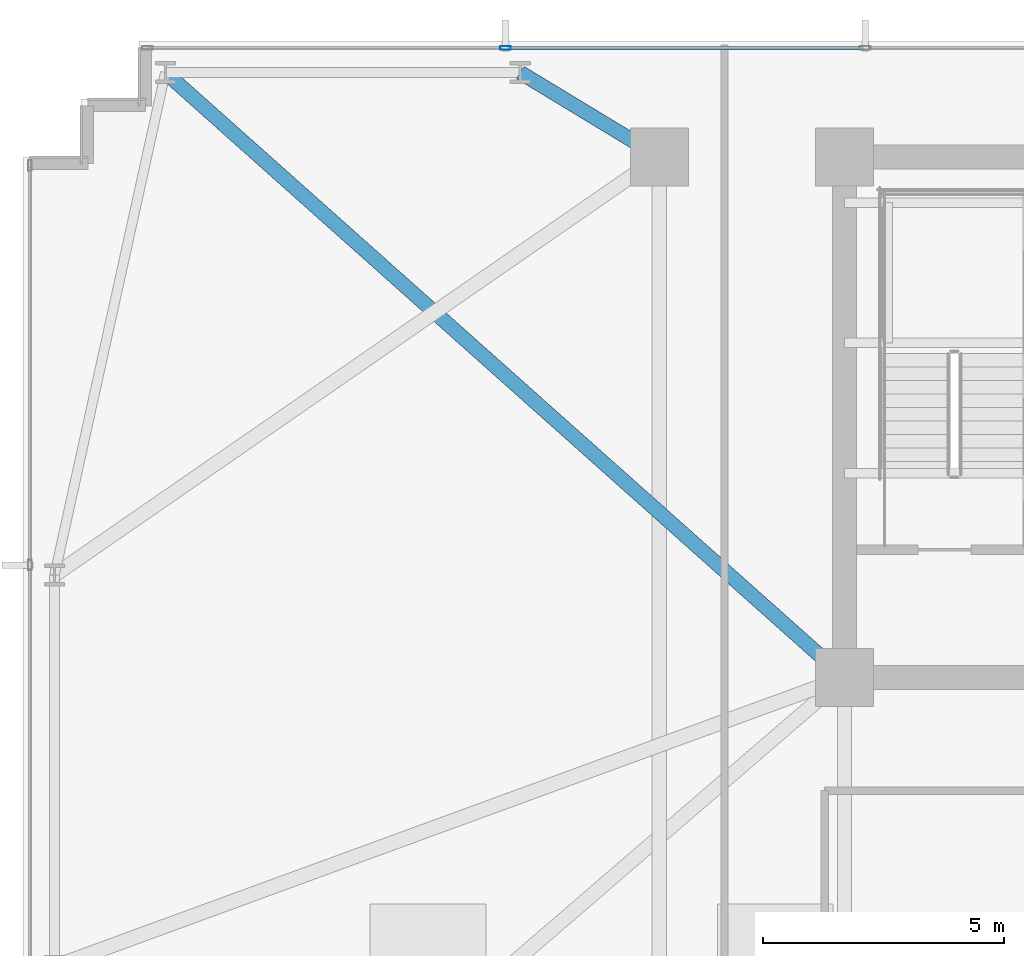
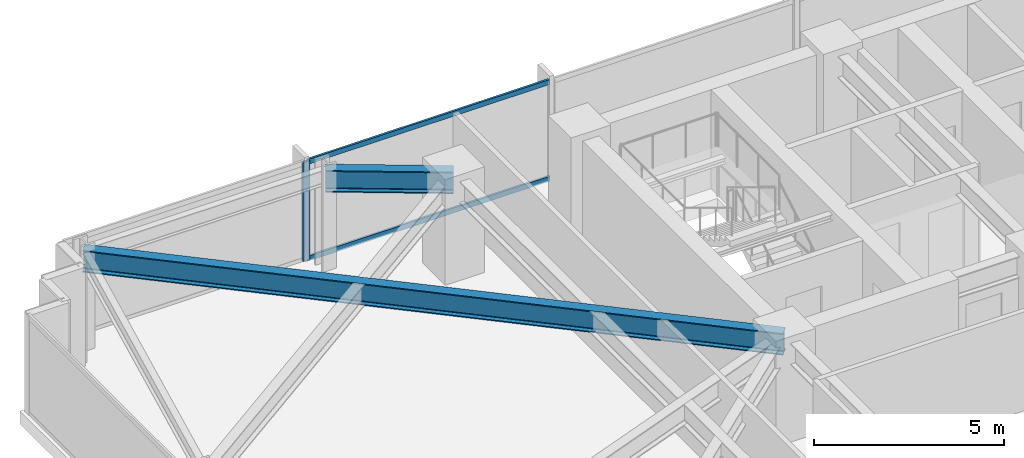
# One storey, part 16 of 31: 3 members, 2 beams, 1 element without a shape of its own.
"""IFC4 building model written with IfcOpenShell, lengths in metres."""

import ifcopenshell
import ifcopenshell.guid

model = None  # the IFC model being written
_history = None  # IfcOwnerHistory: only IFC2X3 demands one
_inside = {}  # id of a spatial element -> (the spatial element, [elements in it])
_under = {}  # id of a project, library or spatial element -> (it, [spatial elements below it])
_declared = {}  # id of a project -> (the project, [libraries it declares])
_typed = {}  # id of a type object -> (the type object, [elements of that type])
_made_of = {}  # id of a material, layer set ... -> (it, [elements and type objects made of it])


def new_model(schema):
    """Start an empty IFC model of exactly this schema.

    Asked for "IFC4X3", IfcOpenShell would pick the latest addendum, in which some entities
    have other attributes; the version numbers below select the first issue.
    IFC2X3 requires an IfcOwnerHistory on every rooted entity: one is made here for all.
    """
    global model, _history
    if schema == "IFC4X3":
        model = ifcopenshell.file(schema_version=(4, 3, 0, 0))
    else:
        model = ifcopenshell.file(schema=schema)
    _inside.clear()
    _under.clear()
    _declared.clear()
    _typed.clear()
    _made_of.clear()
    _history = None
    if model.schema == "IFC2X3":
        org = make("IfcOrganization", Name="unknown")
        user = make(
            "IfcPersonAndOrganization",
            ThePerson=make("IfcPerson", FamilyName="unknown"),
            TheOrganization=org,
        )
        app = make(
            "IfcApplication",
            ApplicationDeveloper=org,
            Version="unknown",
            ApplicationFullName="unknown",
            ApplicationIdentifier="unknown",
        )
        _history = make(
            "IfcOwnerHistory",
            OwningUser=user,
            OwningApplication=app,
            ChangeAction="ADDED",
            CreationDate=0,
        )
    return model


def make(cls, **values):
    """One entity of the class cls with the attributes given. An attribute that is None is left unset."""
    return model.create_entity(
        cls, **{name: value for name, value in values.items() if value is not None}
    )


def rooted(cls, **values):
    """An entity with a GlobalId (a new one), such as an element, a storey or a relation."""
    return make(cls, GlobalId=ifcopenshell.guid.new(), OwnerHistory=_history, **values)


def si_unit(unit_type, name, prefix=None):
    """IfcSIUnit, for example si_unit("LENGTHUNIT", "METRE", prefix="MILLI")."""
    return make("IfcSIUnit", UnitType=unit_type, Prefix=prefix, Name=name)


def assignment(units):
    """IfcUnitAssignment: the units of a project."""
    return None if units is None else make("IfcUnitAssignment", Units=units)


def point(xyz):
    """IfcCartesianPoint."""
    return None if xyz is None else make("IfcCartesianPoint", Coordinates=xyz)


def direction(xyz):
    """IfcDirection."""
    return None if xyz is None else make("IfcDirection", DirectionRatios=xyz)


def frame(location, z_axis=None, x_axis=None):
    """IfcAxis2Placement3D, a coordinate frame: its origin and axes. An axis left out is left unset."""
    return make(
        "IfcAxis2Placement3D",
        Location=point(location),
        Axis=direction(z_axis),
        RefDirection=direction(x_axis),
    )


def frame_2d(location, x_axis=None):
    """IfcAxis2Placement2D, a coordinate frame in the plane: its origin and x axis."""
    return make(
        "IfcAxis2Placement2D", Location=point(location), RefDirection=direction(x_axis)
    )


def origin():
    """The frame at (0, 0, 0) with its axes left unset."""
    return frame((0.0, 0.0, 0.0))


def origin_2d():
    """The frame at (0, 0) in the plane with its x axis left unset."""
    return frame_2d((0.0, 0.0))


def place(relative_to, where):
    """IfcLocalPlacement: puts the frame where relative to a parent placement (None: the world)."""
    return make(
        "IfcLocalPlacement", PlacementRelTo=relative_to, RelativePlacement=where
    )


def context(
    kind, dimensions, precision=None, world=None, true_north=None, identifier=None
):
    """IfcGeometricRepresentationContext, for example the 3D "Model" context."""
    return make(
        "IfcGeometricRepresentationContext",
        ContextIdentifier=identifier,
        ContextType=kind,
        CoordinateSpaceDimension=dimensions,
        Precision=precision,
        WorldCoordinateSystem=world,
        TrueNorth=true_north,
    )


def subcontext(parent, identifier, kind, view, scale=None):
    """IfcGeometricRepresentationSubContext, for example "Body" below "Model"."""
    return make(
        "IfcGeometricRepresentationSubContext",
        ContextIdentifier=identifier,
        ContextType=kind,
        ParentContext=parent,
        TargetScale=scale,
        TargetView=view,
    )


def project(units=None, contexts=None):
    """IfcProject with its units and contexts."""
    return rooted(
        "IfcProject",
        Name="project",
        RepresentationContexts=contexts,
        UnitsInContext=assignment(units),
    )


def spatial(cls, under=None, at=None, **own):
    """A site, building, storey or space (cls), placed at a placement, below another one or the project."""
    s = rooted(cls, ObjectPlacement=at, **own)
    if under is not None:
        _under.setdefault(under.id(), (under, []))[1].append(s)
    return s


def profile(cls, at=None, kind="AREA", **sizes):
    """A parametric profile (cls). Its sizes go by their IFC names, for example OverallWidth=200.0."""
    return make(cls, ProfileType=kind, Position=at, **sizes)


def hollow_rectangle(**sizes):
    """IfcRectangleHollowProfileDef."""
    return profile("IfcRectangleHollowProfileDef", **sizes)


def i_section(**sizes):
    """IfcIShapeProfileDef."""
    return profile("IfcIShapeProfileDef", **sizes)


def extrude(swept, where, along, depth):
    """IfcExtrudedAreaSolid: the profile swept, set in the frame where, extruded along a direction by depth."""
    return make(
        "IfcExtrudedAreaSolid",
        SweptArea=swept,
        Position=where,
        ExtrudedDirection=direction(along),
        Depth=depth,
    )


def shape(context_of_items, identifier, shape_type, items):
    """IfcShapeRepresentation: the items that make up one representation, for example the "Body"."""
    return make(
        "IfcShapeRepresentation",
        ContextOfItems=context_of_items,
        RepresentationIdentifier=identifier,
        RepresentationType=shape_type,
        Items=items,
    )


def material(Name=None, Category=None):
    """IfcMaterial."""
    return make("IfcMaterial", Name=Name, Category=Category)


def material_profile(
    of_material, cross_section, Name=None, Category=None, Priority=None
):
    """IfcMaterialProfile: a cross section and its material."""
    return make(
        "IfcMaterialProfile",
        Name=Name,
        Material=of_material,
        Profile=cross_section,
        Priority=Priority,
        Category=Category,
    )


def profile_set(profiles, Name=None, composite=None):
    """IfcMaterialProfileSet."""
    return make(
        "IfcMaterialProfileSet",
        Name=Name,
        MaterialProfiles=profiles,
        CompositeProfile=composite,
    )


def made_of(thing, what):
    """Note that an element or type object is made of a material, layer set ...; save() writes the relation."""
    if what is not None:
        _made_of.setdefault(what.id(), (what, []))[1].append(thing)
    return thing


def type_object(cls, material=None, **own):
    """A type object (cls), such as IfcWallType, which elements share."""
    return made_of(rooted(cls, **own), material)


def element(
    cls,
    number,
    at=None,
    inside=None,
    cuts=None,
    type_object=None,
    material=None,
    context=None,
    identifier="Body",
    shape_type=None,
    held_by="IfcProductDefinitionShape",
    body=None,
    shapes=None,
    **own,
):
    """One element of the class cls, such as IfcWall. Its Tag is "e" and its number.

    at: its placement. inside: the storey or other place that contains it. cuts: it is an
    opening in that element (IfcRelVoidsElement). A single representation is given by context,
    identifier, shape_type and body (its items); several are given by shapes. held_by: the class
    of the entity that holds the representations. save() writes the other relations.
    """
    e = rooted(cls, Tag="e%d" % number, ObjectPlacement=at, **own)
    if body is not None:
        shapes = [shape(context, identifier, shape_type, body)]
    if shapes is not None:
        e.Representation = make(held_by, Representations=shapes)
    if inside is not None:
        _inside.setdefault(inside.id(), (inside, []))[1].append(e)
    if cuts is not None:
        rooted(
            "IfcRelVoidsElement", RelatingBuildingElement=cuts, RelatedOpeningElement=e
        )
    if type_object is not None:
        _typed.setdefault(type_object.id(), (type_object, []))[1].append(e)
    return made_of(e, material)


def aggregate(whole, parts):
    """IfcRelAggregates: a whole, such as a stair, and the parts it consists of."""
    return rooted("IfcRelAggregates", RelatingObject=whole, RelatedObjects=parts)


def save(model, path):
    """Write the relations noted so far, then the file.

    IfcRelAggregates (storeys below a building ...), IfcRelContainedInSpatialStructure (elements
    in a storey), IfcRelDefinesByType, IfcRelAssociatesMaterial and IfcRelDeclares: one each for
    every whole, place, type object, material and project.
    """
    for whole, parts in _under.values():
        aggregate(whole, parts)
    for where, things in _inside.values():
        rooted(
            "IfcRelContainedInSpatialStructure",
            RelatedElements=things,
            RelatingStructure=where,
        )
    for kind, things in _typed.values():
        rooted("IfcRelDefinesByType", RelatedObjects=things, RelatingType=kind)
    for what, things in _made_of.values():
        rooted("IfcRelAssociatesMaterial", RelatedObjects=things, RelatingMaterial=what)
    for by, libraries in _declared.values():
        rooted("IfcRelDeclares", RelatingContext=by, RelatedDefinitions=libraries)
    model.write(path)


model = new_model("IFC4")

# Units and contexts
model_context = context("Model", 3, precision=1e-05, world=origin(), true_north=direction((0.0, 1.0)))
body_context = subcontext(model_context, "Body", "Model", "MODEL_VIEW")
ifc_project = project(units=[si_unit("LENGTHUNIT", "METRE"), si_unit("AREAUNIT", "SQUARE_METRE"), si_unit("VOLUMEUNIT", "CUBIC_METRE"), si_unit("PLANEANGLEUNIT", "RADIAN"), si_unit("MASSUNIT", "GRAM", prefix="KILO")], contexts=[model_context])

# Site, building, storey
site_placement = place(None, origin())
site = spatial("IfcSite", under=ifc_project, at=site_placement, CompositionType="ELEMENT")
building_placement = place(site_placement, origin())
building = spatial("IfcBuilding", under=site, at=building_placement, Name="Yelkora Congress Tower", CompositionType="ELEMENT")
storey_placement = place(building_placement, frame((0.0, 0.0, 30.39990234375)))
storey = spatial("IfcBuildingStorey", under=building, at=storey_placement, Name="L06", CompositionType="ELEMENT", Elevation=30.39990234375)

# Beams
ifc_material_1 = material(Name="Steel S355J2", Category="steel")
ifc_material_profile_1 = material_profile(ifc_material_1, i_section(OverallWidth=0.300048828125, OverallDepth=0.699951171875, WebThickness=0.01708984375, FlangeThickness=0.031982421875, FilletRadius=0.027099609375, at=origin_2d()), Name="HEB 700")
ifc_profile_set_1 = profile_set([ifc_material_profile_1], Name="Steel S355J2")
beam_type = type_object("IfcBeamType", Name="BM-GIRD-HEB700", PredefinedType="BEAM", material=ifc_profile_set_1)
beam_1_placement = place(storey_placement, frame((8.949951171875, 47.949951171875, 2.830078125), z_axis=(0.746737189621, -0.665119214605, 0.0), x_axis=(0.665119214605, 0.746737189621, 0.0)))
element("IfcBeam", 1, at=beam_1_placement, inside=storey, type_object=beam_type, Name="L06 Primary Frame Girder N01", PredefinedType="BEAM", context=body_context, shape_type="SweptSolid", body=[
    extrude(i_section(OverallWidth=0.300048828125, OverallDepth=0.699951171875, WebThickness=0.01708984375, FlangeThickness=0.031982421875, FilletRadius=0.027099609375, at=origin_2d()), origin(), (0.0, 0.0, 1.0), 18.868896484375),
])
beam_2_placement = place(storey_placement, frame((16.3125, 47.949951171875, 2.830078125), z_axis=(0.855193946581, -0.518308126244, 0.0), x_axis=(0.518308126244, 0.855193946581, 0.0)))
element("IfcBeam", 2, at=beam_2_placement, inside=storey, type_object=beam_type, Name="L06 Primary Frame Girder N02", PredefinedType="BEAM", context=body_context, shape_type="SweptSolid", body=[
    extrude(i_section(OverallWidth=0.300048828125, OverallDepth=0.699951171875, WebThickness=0.01708984375, FlangeThickness=0.031982421875, FilletRadius=0.027099609375, at=origin_2d()), origin(), (0.0, 0.0, 1.0), 3.37646484375),
])

# Curtain wall, members
ifc_material_2 = material(Name="Anodised aluminium and insulated glass", Category="aluminium")
curtain_wall_type = type_object("IfcCurtainWallType", Name="CW-SYS-B1", PredefinedType="NOTDEFINED", material=ifc_material_2)
curtain_wall_placement = place(storey_placement, origin())
curtain_wall = element("IfcCurtainWall", 3, at=curtain_wall_placement, inside=storey, type_object=curtain_wall_type, Name="L06 Unitised Curtain Wall 10", PredefinedType="NOTDEFINED")
ifc_material_3 = material(Name="Anodised aluminium 6063-T6", Category="aluminium")
ifc_material_profile_2 = material_profile(ifc_material_3, hollow_rectangle(XDim=0.074951171875, YDim=0.219970703125, WallThickness=0.0048828125, at=origin_2d()), Name="ALU 75x220x5")
ifc_profile_set_2 = profile_set([ifc_material_profile_2], Name="Anodised aluminium 6063-T6")
member_type_1 = type_object("IfcMemberType", Name="MEM-ML-B1", PredefinedType="MULLION", material=ifc_profile_set_2)
member_1_placement = place(storey_placement, frame((16.0048828125, 48.4599609375, 0.0), z_axis=(0.0, 0.0, 1.0), x_axis=(0.0, 1.0, 0.0)))
member_1 = element("IfcMember", 4, at=member_1_placement, type_object=member_type_1, Name="CW-B1 mullion 2", PredefinedType="MULLION", context=body_context, shape_type="SweptSolid", body=[
    extrude(hollow_rectangle(XDim=0.074951171875, YDim=0.219970703125, WallThickness=0.0048828125, at=origin_2d()), origin(), (0.0, 0.0, 1.0), 3.18017578125),
])
ifc_material_profile_3 = material_profile(ifc_material_3, hollow_rectangle(XDim=0.06494140625, YDim=0.159912109375, WallThickness=0.00390625, at=origin_2d()), Name="ALU 65x160x4")
ifc_profile_set_3 = profile_set([ifc_material_profile_3], Name="Anodised aluminium 6063-T6")
member_type_2 = type_object("IfcMemberType", Name="MEM-TR-B1", PredefinedType="USERDEFINED", material=ifc_profile_set_3)
member_2_placement = place(storey_placement, frame((16.04248046875, 48.4599609375, 0.03271484375), z_axis=(1.0, 0.0, 0.0), x_axis=(0.0, 1.0, 0.0)))
member_2 = element("IfcMember", 5, at=member_2_placement, type_object=member_type_2, Name="CW-B1 transom 2.1", ObjectType="TRANSOM", PredefinedType="USERDEFINED", context=body_context, shape_type="SweptSolid", body=[
    extrude(hollow_rectangle(XDim=0.06494140625, YDim=0.159912109375, WallThickness=0.00390625, at=origin_2d()), origin(), (0.0, 0.0, 1.0), 7.39013671875),
])
member_3_placement = place(storey_placement, frame((16.04248046875, 48.4599609375, 3.147705078125), z_axis=(1.0, 0.0, 0.0), x_axis=(0.0, 1.0, 0.0)))
member_3 = element("IfcMember", 6, at=member_3_placement, type_object=member_type_2, Name="CW-B1 transom 2.2", ObjectType="TRANSOM", PredefinedType="USERDEFINED", context=body_context, shape_type="SweptSolid", body=[
    extrude(hollow_rectangle(XDim=0.06494140625, YDim=0.159912109375, WallThickness=0.00390625, at=origin_2d()), origin(), (0.0, 0.0, 1.0), 7.39013671875),
])
aggregate(curtain_wall, [member_1, member_2, member_3])

save(model, "model.ifc")
